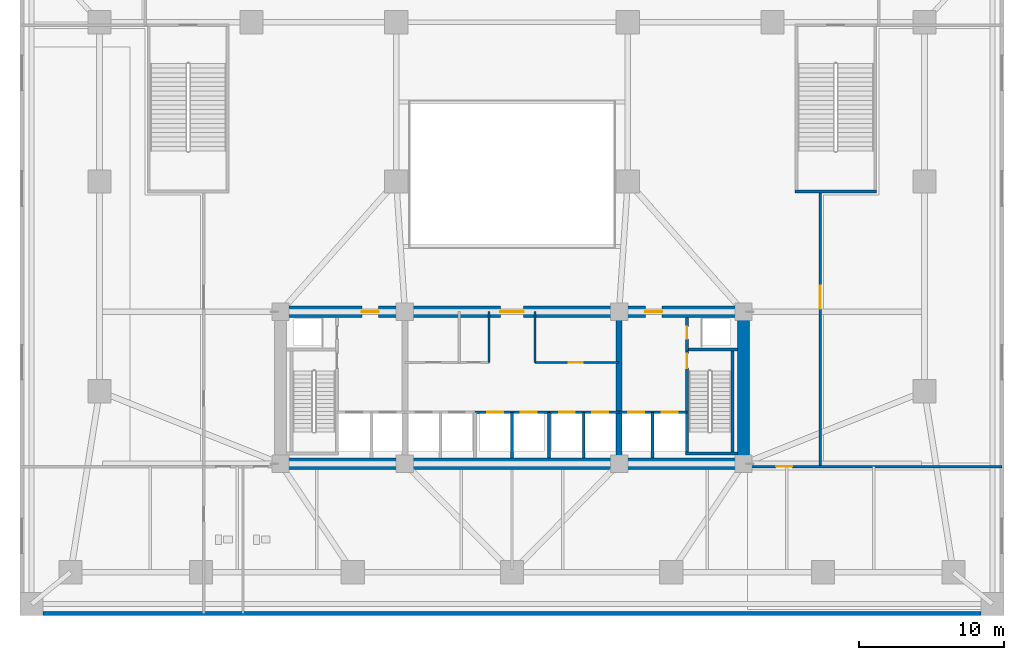
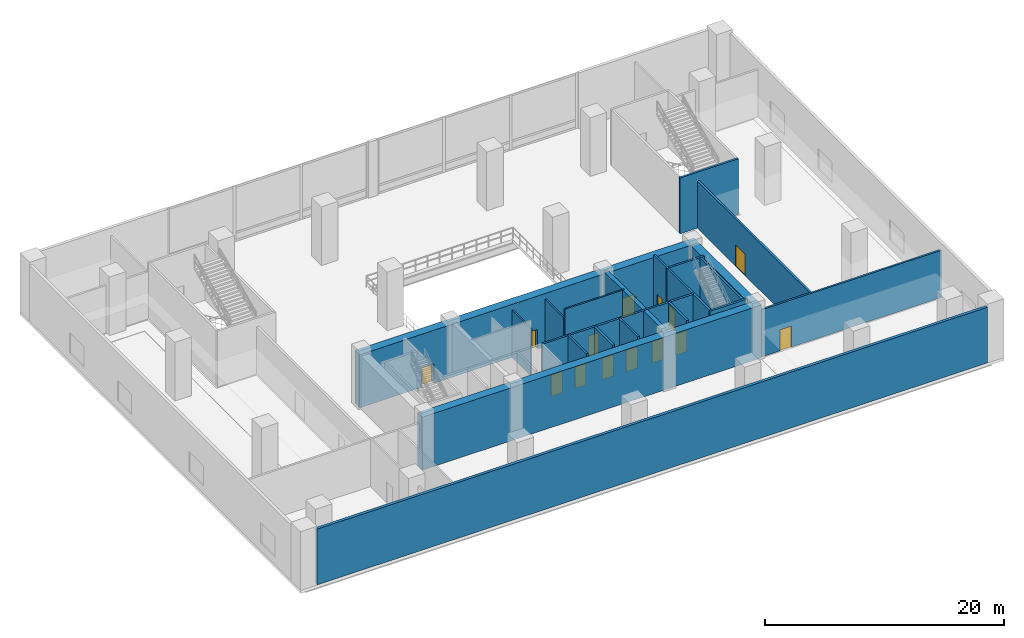
# One storey, part 8 of 16: 23 walls, 14 doors, 14 openings.
"""IFC4 building model written with IfcOpenShell, lengths in metres."""

from ifc_helpers import new_model, si_unit, direction, frame, frame_2d, origin, place, context, subcontext, project, spatial, rectangle, extrude, material, layer, layer_set, type_object, element, fill, save


model = new_model("IFC4")

# Units and contexts
model_context = context("Model", 3, precision=1e-05, world=origin(), true_north=direction((0.0, 1.0)))
body_context = subcontext(model_context, "Body", "Model", "MODEL_VIEW")
ifc_project = project(units=[si_unit("LENGTHUNIT", "METRE"), si_unit("AREAUNIT", "SQUARE_METRE"), si_unit("VOLUMEUNIT", "CUBIC_METRE"), si_unit("PLANEANGLEUNIT", "RADIAN"), si_unit("MASSUNIT", "GRAM", prefix="KILO")], contexts=[model_context])

# Site, building, storey
site_placement = place(None, origin())
site = spatial("IfcSite", under=ifc_project, at=site_placement, CompositionType="ELEMENT")
building_placement = place(site_placement, origin())
building = spatial("IfcBuilding", under=site, at=building_placement, Name="Solmavex Isthmus Hotel", CompositionType="ELEMENT")
storey_placement = place(building_placement, frame((0.0, 0.0, 5.39990234375)))
storey = spatial("IfcBuildingStorey", under=building, at=storey_placement, Name="L02", CompositionType="ELEMENT", Elevation=5.39990234375)

# Walls
ifc_material_1 = material(Name="Precast Concrete C40/50", Category="concrete")
ifc_layer_1 = layer(ifc_material_1, 0.280029296875)
ifc_layer_set_1 = layer_set([ifc_layer_1], Name="Precast Concrete C40/50")
wall_type_1 = type_object("IfcWallType", Name="EW-POD-280", PredefinedType="STANDARD", material=ifc_layer_set_1)
wall_1_placement = place(storey_placement, frame((-32.39990234375, -23.360107421875, 0.0), z_axis=(0.0, 0.0, 1.0), x_axis=(1.0, 0.0, 0.0)))
element("IfcWall", 1, at=wall_1_placement, inside=storey, type_object=wall_type_1, Name="Podium Facade Wall South L02", PredefinedType="STANDARD", context=body_context, shape_type="SweptSolid", body=[
    extrude(rectangle(XDim=64.7998046875, YDim=0.280029296875, at=frame_2d((32.39990234375, 0.0))), origin(), (0.0, 0.0, 1.0), 5.7001953125),
])
ifc_material_2 = material(Name="Gypsum plasterboard lining", Category="gypsum")
ifc_layer_2 = layer(ifc_material_2, 0.14990234375)
ifc_layer_set_2 = layer_set([ifc_layer_2], Name="Gypsum plasterboard lining")
wall_type_2 = type_object("IfcWallType", Name="IW-CORR-150", PredefinedType="PARTITIONING", material=ifc_layer_set_2)
wall_2_placement = place(storey_placement, frame((-1.60009765625, -6.0, 0.0), z_axis=(0.0, 0.0, 1.0), x_axis=(0.0, 1.0, 0.0)))
element("IfcWall", 2, at=wall_2_placement, inside=storey, type_object=wall_type_2, Name="Interior Partition Wall W-L02-BOH-WE", PredefinedType="PARTITIONING", context=body_context, shape_type="SweptSolid", body=[
    extrude(rectangle(XDim=3.5, YDim=0.14990234375, at=frame_2d((1.75, 0.0))), origin(), (0.0, 0.0, 1.0), 4.82958984375),
])

# Wall, opening, door
wall_3_placement = place(storey_placement, frame((1.60009765625, -6.0, 0.0), z_axis=(0.0, 0.0, 1.0), x_axis=(1.0, 0.0, 0.0)))
wall_3 = element("IfcWall", 3, at=wall_3_placement, inside=storey, type_object=wall_type_2, Name="Interior Partition Wall W-L02-BOH-ES", PredefinedType="PARTITIONING", context=body_context, shape_type="SweptSolid", body=[
    extrude(rectangle(XDim=5.7998046875, YDim=0.14990234375, at=frame_2d((2.89990234375, 0.0))), origin(), (0.0, 0.0, 1.0), 5.7001953125),
])
opening_1_placement = place(wall_3_placement, frame((2.324951171875, 0.0, 0.0)))
opening_1 = element("IfcOpeningElement", 4, at=opening_1_placement, cuts=wall_3, Name="Opening ID-C095", PredefinedType="OPENING", context=body_context, shape_type="SweptSolid", body=[
    extrude(rectangle(XDim=0.949951171875, YDim=2.14990234375, at=frame_2d((0.47509765625, 1.074951171875))), frame((0.0, 0.0849609375, 0.0), z_axis=(0.0, -1.0, 0.0), x_axis=(1.0, 0.0, 0.0)), (0.0, 0.0, 1.0), 0.169921875),
])
ifc_material_3 = material(Name="Hardwood timber", Category="wood")
door_type_1 = type_object("IfcDoorType", Name="IDR-FD60-0950", OperationType="NOTDEFINED", PredefinedType="DOOR", material=ifc_material_3)
door_1_placement = place(opening_1_placement, frame((0.949951171875, 0.0, 0.0), z_axis=(0.0, 0.0, 1.0), x_axis=(-1.0, 0.0, 0.0)))
door_1 = element("IfcDoor", 5, at=door_1_placement, inside=storey, type_object=door_type_1, Name="Butler Pantry Door L02", OperationType="SINGLE_SWING_RIGHT", OverallHeight=2.14990234375, OverallWidth=0.949951171875, PredefinedType="DOOR", context=body_context, shape_type="SweptSolid", body=[
    extrude(rectangle(XDim=0.949951171875, YDim=2.14990234375, at=frame_2d((0.47509765625, 1.074951171875))), frame((0.0, 0.02490234375, 0.0), z_axis=(0.0, -1.0, 0.0), x_axis=(1.0, 0.0, 0.0)), (0.0, 0.0, 1.0), 0.050048828125),
])
fill(opening_1, door_1)

# Walls
wall_4_placement = place(storey_placement, frame((1.60009765625, -6.0, 0.0), z_axis=(0.0, 0.0, 1.0), x_axis=(0.0, 1.0, 0.0)))
element("IfcWall", 6, at=wall_4_placement, inside=storey, type_object=wall_type_2, Name="Interior Partition Wall W-L02-BOH-EW", PredefinedType="PARTITIONING", context=body_context, shape_type="SweptSolid", body=[
    extrude(rectangle(XDim=3.5, YDim=0.14990234375, at=frame_2d((1.75, 0.0))), origin(), (0.0, 0.0, 1.0), 4.82958984375),
])
ifc_material_4 = material(Name="Concrete C40/50", Category="concrete")
ifc_layer_3 = layer(ifc_material_4, 0.179931640625)
ifc_layer_set_3 = layer_set([ifc_layer_3], Name="Concrete C40/50")
wall_type_3 = type_object("IfcWallType", Name="IW-SHAFT-180", PredefinedType="PARTITIONING", material=ifc_layer_set_3)
for number, where, z_axis, x_axis, name in (
    (7, (0.0, -12.60009765625, 0.0), (0.0, 0.0, 1.0), (0.0, 1.0, 0.0), "Interior Partition Wall W-L02-SH-PLM-M"),
    (8, (4.949951171875, -12.60009765625, 0.0), (0.0, 0.0, 1.0), (0.0, 1.0, 0.0), "Interior Partition Wall W-L02-SH-PLH-M"),
):
    element("IfcWall", number, at=place(storey_placement, frame(where, z_axis=z_axis, x_axis=x_axis)), inside=storey, type_object=wall_type_3, Name=name, PredefinedType="PARTITIONING", context=body_context, shape_type="SweptSolid", body=[
        extrude(rectangle(XDim=3.150146484375, YDim=0.179931640625, at=frame_2d((1.5751953125, 0.0))), origin(), (0.0, 0.0, 1.0), 5.7001953125),
    ])

# Wall, opening, door
wall_5_placement = place(storey_placement, frame((16.0, -13.199951171875, 0.0), z_axis=(0.0, 0.0, 1.0), x_axis=(1.0, 0.0, 0.0)))
wall_5 = element("IfcWall", 9, at=wall_5_placement, inside=storey, type_object=wall_type_3, Name="Interior Partition Wall W-L02-SOUTH-E", PredefinedType="PARTITIONING", context=body_context, shape_type="SweptSolid", body=[
    extrude(rectangle(XDim=17.860107421875, YDim=0.179931640625, at=frame_2d((8.93017578125, 0.0))), origin(), (0.0, 0.0, 1.0), 4.82958984375),
])
opening_2_placement = place(wall_5_placement, frame((2.25, 0.0, 0.0)))
opening_2 = element("IfcOpeningElement", 10, at=opening_2_placement, cuts=wall_5, Name="Opening ID-C110", PredefinedType="OPENING", context=body_context, shape_type="SweptSolid", body=[
    extrude(rectangle(XDim=1.10009765625, YDim=2.14990234375, at=frame_2d((0.550048828125, 1.074951171875))), frame((0.0, 0.099853515625, 0.0), z_axis=(0.0, -1.0, 0.0), x_axis=(1.0, 0.0, 0.0)), (0.0, 0.0, 1.0), 0.199951171875),
])
door_type_2 = type_object("IfcDoorType", Name="IDR-FD60-1100", OperationType="NOTDEFINED", PredefinedType="DOOR", material=ifc_material_3)
door_2_placement = place(opening_2_placement, frame((1.10009765625, 0.0, 0.0), z_axis=(0.0, 0.0, 1.0), x_axis=(-1.0, 0.0, 0.0)))
door_2 = element("IfcDoor", 11, at=door_2_placement, inside=storey, type_object=door_type_2, Name="AV Control Door L02", OperationType="SINGLE_SWING_LEFT", OverallHeight=2.14990234375, OverallWidth=1.10009765625, PredefinedType="DOOR", context=body_context, shape_type="SweptSolid", body=[
    extrude(rectangle(XDim=1.10009765625, YDim=2.14990234375, at=frame_2d((0.550048828125, 1.074951171875))), frame((0.0, 0.02490234375, 0.0), z_axis=(0.0, -1.0, 0.0), x_axis=(1.0, 0.0, 0.0)), (0.0, 0.0, 1.0), 0.050048828125),
])
fill(opening_2, door_2)

ifc_layer_4 = layer(ifc_material_4, 0.199951171875)
ifc_layer_set_4 = layer_set([ifc_layer_4], Name="Concrete C40/50")
wall_type_4 = type_object("IfcWallType", Name="IW-SHAFT-200", PredefinedType="PARTITIONING", material=ifc_layer_set_4)
wall_6_placement = place(storey_placement, frame((12.10009765625, -5.199951171875, 0.0), z_axis=(0.0, 0.0, 1.0), x_axis=(0.0, 1.0, 0.0)))
wall_6 = element("IfcWall", 12, at=wall_6_placement, inside=storey, type_object=wall_type_4, Name="Interior Partition Wall W-L02-RSE-W", PredefinedType="PARTITIONING", context=body_context, shape_type="SweptSolid", body=[
    extrude(rectangle(XDim=2.300048828125, YDim=0.199951171875, at=frame_2d((1.14990234375, 0.0))), origin(), (0.0, 0.0, 1.0), 5.7001953125),
])
opening_3_placement = place(wall_6_placement, frame((0.824951171875, 0.0, 0.0)))
opening_3 = element("IfcOpeningElement", 13, at=opening_3_placement, cuts=wall_6, Name="Opening ID-R085", PredefinedType="OPENING", context=body_context, shape_type="SweptSolid", body=[
    extrude(rectangle(XDim=0.85009765625, YDim=2.050048828125, at=frame_2d((0.425048828125, 1.02490234375))), frame((0.0, 0.10986328125, 0.0), z_axis=(0.0, -1.0, 0.0), x_axis=(1.0, 0.0, 0.0)), (0.0, 0.0, 1.0), 0.219970703125),
])
ifc_material_5 = material(Name="Steel ASTM A500 Grade C", Category="steel")
door_type_3 = type_object("IfcDoorType", Name="IDR-FD60-0850", OperationType="NOTDEFINED", PredefinedType="DOOR", material=ifc_material_5)
door_3_placement = place(opening_3_placement, frame((0.85009765625, 0.0, 0.0), z_axis=(0.0, 0.0, 1.0), x_axis=(-1.0, 0.0, 0.0)))
door_3 = element("IfcDoor", 14, at=door_3_placement, inside=storey, type_object=door_type_3, Name="Mechanical Riser Door L02", OperationType="SINGLE_SWING_LEFT", OverallHeight=2.050048828125, OverallWidth=0.85009765625, PredefinedType="DOOR", context=body_context, shape_type="SweptSolid", body=[
    extrude(rectangle(XDim=0.85009765625, YDim=2.050048828125, at=frame_2d((0.425048828125, 1.02490234375))), frame((0.0, 0.02490234375, 0.0), z_axis=(0.0, -1.0, 0.0), x_axis=(1.0, 0.0, 0.0)), (0.0, 0.0, 1.0), 0.050048828125),
])
fill(opening_3, door_3)

# Wall, openings, doors
wall_7_placement = place(storey_placement, frame((7.39990234375, -9.449951171875, 0.0), z_axis=(0.0, 0.0, 1.0), x_axis=(1.0, 0.0, 0.0)))
wall_7 = element("IfcWall", 15, at=wall_7_placement, inside=storey, type_object=wall_type_4, Name="Interior Partition Wall W-L02-FFLE-S", PredefinedType="PARTITIONING", context=body_context, shape_type="SweptSolid", body=[
    extrude(rectangle(XDim=4.7001953125, YDim=0.199951171875, at=frame_2d((2.35009765625, 0.0))), origin(), (0.0, 0.0, 1.0), 5.7001953125),
])
opening_4_placement = place(wall_7_placement, frame((2.949951171875, 0.0, 0.0)))
opening_4 = element("IfcOpeningElement", 16, at=opening_4_placement, cuts=wall_7, Name="Opening LD-FF", PredefinedType="OPENING", context=body_context, shape_type="SweptSolid", body=[
    extrude(rectangle(XDim=1.10009765625, YDim=2.199951171875, at=frame_2d((0.550048828125, 1.10009765625))), frame((0.0, 0.10986328125, 0.0), z_axis=(0.0, -1.0, 0.0), x_axis=(1.0, 0.0, 0.0)), (0.0, 0.0, 1.0), 0.219970703125),
])
opening_5_placement = place(wall_7_placement, frame((0.64990234375, 0.0, 0.0)))
opening_5 = element("IfcOpeningElement", 17, at=opening_5_placement, cuts=wall_7, Name="Opening LD-SV", PredefinedType="OPENING", context=body_context, shape_type="SweptSolid", body=[
    extrude(rectangle(XDim=1.10009765625, YDim=2.199951171875, at=frame_2d((0.550048828125, 1.10009765625))), frame((0.0, 0.10986328125, 0.0), z_axis=(0.0, -1.0, 0.0), x_axis=(1.0, 0.0, 0.0)), (0.0, 0.0, 1.0), 0.219970703125),
])
ifc_material_6 = material(Name="Stainless steel 316", Category="steel")
door_type_4 = type_object("IfcDoorType", Name="LDR-FF-1100", OperationType="NOTDEFINED", PredefinedType="DOOR", material=ifc_material_6)
door_4_placement = place(opening_4_placement, origin())
door_4 = element("IfcDoor", 18, at=door_4_placement, inside=storey, type_object=door_type_4, Name="Lift Landing Door FFL-2 L02", OperationType="SLIDING_TO_LEFT", OverallHeight=2.199951171875, OverallWidth=1.10009765625, PredefinedType="DOOR", context=body_context, shape_type="SweptSolid", body=[
    extrude(rectangle(XDim=1.10009765625, YDim=2.199951171875, at=frame_2d((0.550048828125, 1.10009765625))), frame((0.0, 0.02490234375, 0.0), z_axis=(0.0, -1.0, 0.0), x_axis=(1.0, 0.0, 0.0)), (0.0, 0.0, 1.0), 0.050048828125),
])
fill(opening_4, door_4)
door_type_5 = type_object("IfcDoorType", Name="LDR-SV-1100", OperationType="NOTDEFINED", PredefinedType="DOOR", material=ifc_material_6)
door_5_placement = place(opening_5_placement, origin())
door_5 = element("IfcDoor", 19, at=door_5_placement, inside=storey, type_object=door_type_5, Name="Lift Landing Door SVL-2 L02", OperationType="SLIDING_TO_RIGHT", OverallHeight=2.199951171875, OverallWidth=1.10009765625, PredefinedType="DOOR", context=body_context, shape_type="SweptSolid", body=[
    extrude(rectangle(XDim=1.10009765625, YDim=2.199951171875, at=frame_2d((0.550048828125, 1.10009765625))), frame((0.0, 0.02490234375, 0.0), z_axis=(0.0, -1.0, 0.0), x_axis=(1.0, 0.0, 0.0)), (0.0, 0.0, 1.0), 0.050048828125),
])
fill(opening_5, door_5)

# Wall
wall_8_placement = place(storey_placement, frame((9.699951171875, -12.60009765625, 0.0), z_axis=(0.0, 0.0, 1.0), x_axis=(0.0, 1.0, 0.0)))
element("IfcWall", 20, at=wall_8_placement, inside=storey, type_object=wall_type_4, Name="Interior Partition Wall W-L02-FFLE-M", PredefinedType="PARTITIONING", context=body_context, shape_type="SweptSolid", body=[
    extrude(rectangle(XDim=3.150146484375, YDim=0.199951171875, at=frame_2d((1.5751953125, 0.0))), origin(), (0.0, 0.0, 1.0), 5.7001953125),
])

# Wall, openings, doors
wall_9_placement = place(storey_placement, frame((-2.550048828125, -9.449951171875, 0.0), z_axis=(0.0, 0.0, 1.0), x_axis=(1.0, 0.0, 0.0)))
wall_9 = element("IfcWall", 21, at=wall_9_placement, inside=storey, type_object=wall_type_4, Name="Interior Partition Wall W-L02-SH-PLM", PredefinedType="PARTITIONING", context=body_context, shape_type="SweptSolid", body=[
    extrude(rectangle(XDim=5.10009765625, YDim=0.199951171875, at=frame_2d((2.550048828125, 0.0))), origin(), (0.0, 0.0, 1.0), 5.7001953125),
])
opening_6_placement = place(wall_9_placement, frame((0.85009765625, 0.0, 0.0)))
opening_6 = element("IfcOpeningElement", 22, at=opening_6_placement, cuts=wall_9, Name="Opening LD-PL", PredefinedType="OPENING", context=body_context, shape_type="SweptSolid", body=[
    extrude(rectangle(XDim=1.10009765625, YDim=2.199951171875, at=frame_2d((0.550048828125, 1.10009765625))), frame((0.0, 0.10986328125, 0.0), z_axis=(0.0, -1.0, 0.0), x_axis=(1.0, 0.0, 0.0)), (0.0, 0.0, 1.0), 0.219970703125),
])
opening_7_placement = place(wall_9_placement, frame((3.14990234375, 0.0, 0.0)))
opening_7 = element("IfcOpeningElement", 23, at=opening_7_placement, cuts=wall_9, Name="Opening LD-PL", PredefinedType="OPENING", context=body_context, shape_type="SweptSolid", body=[
    extrude(rectangle(XDim=1.10009765625, YDim=2.199951171875, at=frame_2d((0.550048828125, 1.10009765625))), frame((0.0, 0.10986328125, 0.0), z_axis=(0.0, -1.0, 0.0), x_axis=(1.0, 0.0, 0.0)), (0.0, 0.0, 1.0), 0.219970703125),
])
door_type_6 = type_object("IfcDoorType", Name="LDR-PL-1100", OperationType="NOTDEFINED", PredefinedType="DOOR", material=ifc_material_6)
door_6_placement = place(opening_6_placement, origin())
door_6 = element("IfcDoor", 24, at=door_6_placement, inside=storey, type_object=door_type_6, Name="Lift Landing Door PLM1 L02", OperationType="SLIDING_TO_RIGHT", OverallHeight=2.199951171875, OverallWidth=1.10009765625, PredefinedType="DOOR", context=body_context, shape_type="SweptSolid", body=[
    extrude(rectangle(XDim=1.10009765625, YDim=2.199951171875, at=frame_2d((0.550048828125, 1.10009765625))), frame((0.0, 0.02490234375, 0.0), z_axis=(0.0, -1.0, 0.0), x_axis=(1.0, 0.0, 0.0)), (0.0, 0.0, 1.0), 0.050048828125),
])
fill(opening_6, door_6)
door_7_placement = place(opening_7_placement, origin())
door_7 = element("IfcDoor", 25, at=door_7_placement, inside=storey, type_object=door_type_6, Name="Lift Landing Door PLM2 L02", OperationType="SLIDING_TO_RIGHT", OverallHeight=2.199951171875, OverallWidth=1.10009765625, PredefinedType="DOOR", context=body_context, shape_type="SweptSolid", body=[
    extrude(rectangle(XDim=1.10009765625, YDim=2.199951171875, at=frame_2d((0.550048828125, 1.10009765625))), frame((0.0, 0.02490234375, 0.0), z_axis=(0.0, -1.0, 0.0), x_axis=(1.0, 0.0, 0.0)), (0.0, 0.0, 1.0), 0.050048828125),
])
fill(opening_7, door_7)

# Wall
wall_10_placement = place(storey_placement, frame((2.550048828125, -12.60009765625, 0.0), z_axis=(0.0, 0.0, 1.0), x_axis=(0.0, 1.0, 0.0)))
element("IfcWall", 26, at=wall_10_placement, inside=storey, type_object=wall_type_4, Name="Interior Partition Wall W-L02-SH-PLM-E", PredefinedType="PARTITIONING", context=body_context, shape_type="SweptSolid", body=[
    extrude(rectangle(XDim=3.150146484375, YDim=0.199951171875, at=frame_2d((1.5751953125, 0.0))), origin(), (0.0, 0.0, 1.0), 5.7001953125),
])

# Wall, openings, doors
wall_11_placement = place(storey_placement, frame((2.550048828125, -9.449951171875, 0.0), z_axis=(0.0, 0.0, 1.0), x_axis=(1.0, 0.0, 0.0)))
wall_11 = element("IfcWall", 27, at=wall_11_placement, inside=storey, type_object=wall_type_4, Name="Interior Partition Wall W-L02-SH-PLH", PredefinedType="PARTITIONING", context=body_context, shape_type="SweptSolid", body=[
    extrude(rectangle(XDim=4.849853515625, YDim=0.199951171875, at=frame_2d((2.4248046875, 0.0))), origin(), (0.0, 0.0, 1.0), 5.7001953125),
])
opening_8_placement = place(wall_11_placement, frame((0.699951171875, 0.0, 0.0)))
opening_8 = element("IfcOpeningElement", 28, at=opening_8_placement, cuts=wall_11, Name="Opening LD-PL", PredefinedType="OPENING", context=body_context, shape_type="SweptSolid", body=[
    extrude(rectangle(XDim=1.10009765625, YDim=2.199951171875, at=frame_2d((0.550048828125, 1.10009765625))), frame((0.0, 0.10986328125, 0.0), z_axis=(0.0, -1.0, 0.0), x_axis=(1.0, 0.0, 0.0)), (0.0, 0.0, 1.0), 0.219970703125),
])
opening_9_placement = place(wall_11_placement, frame((3.0, 0.0, 0.0)))
opening_9 = element("IfcOpeningElement", 29, at=opening_9_placement, cuts=wall_11, Name="Opening LD-PL", PredefinedType="OPENING", context=body_context, shape_type="SweptSolid", body=[
    extrude(rectangle(XDim=1.10009765625, YDim=2.199951171875, at=frame_2d((0.550048828125, 1.10009765625))), frame((0.0, 0.10986328125, 0.0), z_axis=(0.0, -1.0, 0.0), x_axis=(1.0, 0.0, 0.0)), (0.0, 0.0, 1.0), 0.219970703125),
])
door_8_placement = place(opening_8_placement, origin())
door_8 = element("IfcDoor", 30, at=door_8_placement, inside=storey, type_object=door_type_6, Name="Lift Landing Door PLH1 L02", OperationType="SLIDING_TO_LEFT", OverallHeight=2.199951171875, OverallWidth=1.10009765625, PredefinedType="DOOR", context=body_context, shape_type="SweptSolid", body=[
    extrude(rectangle(XDim=1.10009765625, YDim=2.199951171875, at=frame_2d((0.550048828125, 1.10009765625))), frame((0.0, 0.02490234375, 0.0), z_axis=(0.0, -1.0, 0.0), x_axis=(1.0, 0.0, 0.0)), (0.0, 0.0, 1.0), 0.050048828125),
])
fill(opening_8, door_8)
door_9_placement = place(opening_9_placement, origin())
door_9 = element("IfcDoor", 31, at=door_9_placement, inside=storey, type_object=door_type_6, Name="Lift Landing Door PLH2 L02", OperationType="SLIDING_TO_LEFT", OverallHeight=2.199951171875, OverallWidth=1.10009765625, PredefinedType="DOOR", context=body_context, shape_type="SweptSolid", body=[
    extrude(rectangle(XDim=1.10009765625, YDim=2.199951171875, at=frame_2d((0.550048828125, 1.10009765625))), frame((0.0, 0.02490234375, 0.0), z_axis=(0.0, -1.0, 0.0), x_axis=(1.0, 0.0, 0.0)), (0.0, 0.0, 1.0), 0.050048828125),
])
fill(opening_9, door_9)

# Wall, opening, door
wall_12_placement = place(storey_placement, frame((21.300048828125, -13.199951171875, 0.0), z_axis=(0.0, 0.0, 1.0), x_axis=(0.0, 1.0, 0.0)))
wall_12 = element("IfcWall", 32, at=wall_12_placement, inside=storey, type_object=wall_type_4, Name="Interior Partition Wall W-L02-EAST-H", PredefinedType="PARTITIONING", context=body_context, shape_type="SweptSolid", body=[
    extrude(rectangle(XDim=18.889892578125, YDim=0.199951171875, at=frame_2d((9.44482421875, 0.0))), origin(), (0.0, 0.0, 1.0), 4.82958984375),
])
opening_10_placement = place(wall_12_placement, frame((10.89990234375, 0.0, 0.0)))
opening_10 = element("IfcOpeningElement", 33, at=opening_10_placement, cuts=wall_12, Name="Opening ID-C160", PredefinedType="OPENING", context=body_context, shape_type="SweptSolid", body=[
    extrude(rectangle(XDim=1.60009765625, YDim=2.199951171875, at=frame_2d((0.800048828125, 1.10009765625))), frame((0.0, 0.10986328125, 0.0), z_axis=(0.0, -1.0, 0.0), x_axis=(1.0, 0.0, 0.0)), (0.0, 0.0, 1.0), 0.219970703125),
])
door_type_7 = type_object("IfcDoorType", Name="IDR-FD60-1600", OperationType="NOTDEFINED", PredefinedType="DOOR", material=ifc_material_3)
door_10_placement = place(opening_10_placement, origin())
door_10 = element("IfcDoor", 34, at=door_10_placement, inside=storey, type_object=door_type_7, Name="East Hall Main Door L02", OperationType="DOUBLE_DOOR_SINGLE_SWING", OverallHeight=2.199951171875, OverallWidth=1.60009765625, PredefinedType="DOOR", context=body_context, shape_type="SweptSolid", body=[
    extrude(rectangle(XDim=1.60009765625, YDim=2.199951171875, at=frame_2d((0.800048828125, 1.10009765625))), frame((0.0, 0.02490234375, 0.0), z_axis=(0.0, -1.0, 0.0), x_axis=(1.0, 0.0, 0.0)), (0.0, 0.0, 1.0), 0.050048828125),
])
fill(opening_10, door_10)

# Walls
ifc_material_7 = material(Name="Concrete C70/85", Category="concrete")
ifc_layer_5 = layer(ifc_material_7, 0.39990234375)
ifc_layer_set_5 = layer_set([ifc_layer_5], Name="Concrete C70/85")
wall_type_5 = type_object("IfcWallType", Name="WALL-CW-400L", PredefinedType="SHEAR", material=ifc_layer_set_5)
wall_13_placement = place(storey_placement, frame((7.39990234375, -12.60009765625, 0.0), z_axis=(0.0, 0.0, 1.0), x_axis=(0.0, 1.0, 0.0)))
element("IfcWall", 35, at=wall_13_placement, inside=storey, type_object=wall_type_5, Name="Core Cross Shear Wall C2 L02", PredefinedType="SHEAR", context=body_context, shape_type="SweptSolid", body=[
    extrude(rectangle(XDim=9.7001953125, YDim=0.39990234375, at=frame_2d((4.85009765625, 0.0))), origin(), (0.0, 0.0, 1.0), 5.7001953125),
])
ifc_layer_6 = layer(ifc_material_7, 0.800048828125)
ifc_layer_set_6 = layer_set([ifc_layer_6], Name="Concrete C70/85")
wall_type_6 = type_object("IfcWallType", Name="WALL-CW-800", PredefinedType="SHEAR", material=ifc_layer_set_6)
wall_14_placement = place(storey_placement, frame((-16.39990234375, -13.0, 0.0), z_axis=(0.0, 0.0, 1.0), x_axis=(1.0, 0.0, 0.0)))
element("IfcWall", 36, at=wall_14_placement, inside=storey, type_object=wall_type_6, Name="Core Shear Wall South L02", PredefinedType="SHEAR", context=body_context, shape_type="SweptSolid", body=[
    extrude(rectangle(XDim=32.7998046875, YDim=0.800048828125, at=frame_2d((16.39990234375, 0.0))), origin(), (0.0, 0.0, 1.0), 5.420166015625),
])

# Wall, openings, doors
wall_15_placement = place(storey_placement, frame((-16.39990234375, -2.5, 0.0), z_axis=(0.0, 0.0, 1.0), x_axis=(1.0, 0.0, 0.0)))
wall_15 = element("IfcWall", 37, at=wall_15_placement, inside=storey, type_object=wall_type_6, Name="Core Shear Wall North L02", PredefinedType="SHEAR", context=body_context, shape_type="SweptSolid", body=[
    extrude(rectangle(XDim=32.7998046875, YDim=0.800048828125, at=frame_2d((16.39990234375, 0.0))), origin(), (0.0, 0.0, 1.0), 5.420166015625),
])
opening_11_placement = place(wall_15_placement, frame((6.02490234375, 0.0, 0.0)))
opening_11 = element("IfcOpeningElement", 38, at=opening_11_placement, cuts=wall_15, Name="Opening ID-F915", PredefinedType="OPENING", context=body_context, shape_type="SweptSolid", body=[
    extrude(rectangle(XDim=1.14990234375, YDim=2.0, at=frame_2d((0.574951171875, 1.0))), frame((0.0, 0.409912109375, 0.0), z_axis=(0.0, -1.0, 0.0), x_axis=(1.0, 0.0, 0.0)), (0.0, 0.0, 1.0), 0.820068359375),
])
opening_12_placement = place(wall_15_placement, frame((15.60009765625, 0.0, 0.0)))
opening_12 = element("IfcOpeningElement", 39, at=opening_12_placement, cuts=wall_15, Name="Opening ID-F960", PredefinedType="OPENING", context=body_context, shape_type="SweptSolid", body=[
    extrude(rectangle(XDim=1.60009765625, YDim=2.0, at=frame_2d((0.800048828125, 1.0))), frame((0.0, 0.409912109375, 0.0), z_axis=(0.0, -1.0, 0.0), x_axis=(1.0, 0.0, 0.0)), (0.0, 0.0, 1.0), 0.820068359375),
])
opening_13_placement = place(wall_15_placement, frame((25.625, 0.0, 0.0)))
opening_13 = element("IfcOpeningElement", 40, at=opening_13_placement, cuts=wall_15, Name="Opening ID-F915", PredefinedType="OPENING", context=body_context, shape_type="SweptSolid", body=[
    extrude(rectangle(XDim=1.14990234375, YDim=2.0, at=frame_2d((0.574951171875, 1.0))), frame((0.0, 0.409912109375, 0.0), z_axis=(0.0, -1.0, 0.0), x_axis=(1.0, 0.0, 0.0)), (0.0, 0.0, 1.0), 0.820068359375),
])
door_type_8 = type_object("IfcDoorType", Name="IDR-FD90-1150C", OperationType="NOTDEFINED", PredefinedType="DOOR", material=ifc_material_5)
door_11_placement = place(opening_11_placement, origin())
door_11 = element("IfcDoor", 41, at=door_11_placement, inside=storey, type_object=door_type_8, Name="Firefighting Lobby West Exit Door L02", OperationType="SINGLE_SWING_LEFT", OverallHeight=2.0, OverallWidth=1.14990234375, PredefinedType="DOOR", context=body_context, shape_type="SweptSolid", body=[
    extrude(rectangle(XDim=1.14990234375, YDim=2.0, at=frame_2d((0.574951171875, 1.0))), frame((0.0, 0.02490234375, 0.0), z_axis=(0.0, -1.0, 0.0), x_axis=(1.0, 0.0, 0.0)), (0.0, 0.0, 1.0), 0.050048828125),
])
fill(opening_11, door_11)
door_12_placement = place(opening_13_placement, origin())
door_12 = element("IfcDoor", 42, at=door_12_placement, inside=storey, type_object=door_type_8, Name="Firefighting Lobby East Exit Door L02", OperationType="SINGLE_SWING_RIGHT", OverallHeight=2.0, OverallWidth=1.14990234375, PredefinedType="DOOR", context=body_context, shape_type="SweptSolid", body=[
    extrude(rectangle(XDim=1.14990234375, YDim=2.0, at=frame_2d((0.574951171875, 1.0))), frame((0.0, 0.02490234375, 0.0), z_axis=(0.0, -1.0, 0.0), x_axis=(1.0, 0.0, 0.0)), (0.0, 0.0, 1.0), 0.050048828125),
])
fill(opening_13, door_12)
door_type_9 = type_object("IfcDoorType", Name="IDR-FD90-1600C", OperationType="NOTDEFINED", PredefinedType="DOOR", material=ifc_material_5)
door_13_placement = place(opening_12_placement, origin())
door_13 = element("IfcDoor", 43, at=door_13_placement, inside=storey, type_object=door_type_9, Name="Central Lift Lobby Door L02", OperationType="DOUBLE_DOOR_SINGLE_SWING", OverallHeight=2.0, OverallWidth=1.60009765625, PredefinedType="DOOR", context=body_context, shape_type="SweptSolid", body=[
    extrude(rectangle(XDim=1.60009765625, YDim=2.0, at=frame_2d((0.800048828125, 1.0))), frame((0.0, 0.02490234375, 0.0), z_axis=(0.0, -1.0, 0.0), x_axis=(1.0, 0.0, 0.0)), (0.0, 0.0, 1.0), 0.050048828125),
])
fill(opening_12, door_13)

# Walls
wall_16_placement = place(storey_placement, frame((16.0, -12.60009765625, 0.0), z_axis=(0.0, 0.0, 1.0), x_axis=(0.0, 1.0, 0.0)))
element("IfcWall", 44, at=wall_16_placement, inside=storey, type_object=wall_type_6, Name="Core Shear Wall East L02", PredefinedType="SHEAR", context=body_context, shape_type="SweptSolid", body=[
    extrude(rectangle(XDim=9.7001953125, YDim=0.800048828125, at=frame_2d((4.85009765625, 0.0))), origin(), (0.0, 0.0, 1.0), 5.420166015625),
])
ifc_layer_7 = layer(ifc_material_4, 0.199951171875)
ifc_layer_set_7 = layer_set([ifc_layer_7], Name="Concrete C40/50")
wall_type_7 = type_object("IfcWallType", Name="WALL-SW-200", PredefinedType="SOLIDWALL", material=ifc_layer_set_7)
for number, where, z_axis, x_axis, name in (
    (45, (12.0, -12.300048828125, 0.0), (0.0, 0.0, 1.0), (1.0, 0.0, 0.0), "Stairwell Structural Wall SW-L02-ST2-S"),
    (46, (12.0, -5.10009765625, 0.0), (0.0, 0.0, 1.0), (1.0, 0.0, 0.0), "Stairwell Structural Wall SW-L02-ST2-N"),
):
    element("IfcWall", number, at=place(storey_placement, frame(where, z_axis=z_axis, x_axis=x_axis)), inside=storey, type_object=wall_type_7, Name=name, PredefinedType="SOLIDWALL", context=body_context, shape_type="SweptSolid", body=[
        extrude(rectangle(XDim=3.60009765625, YDim=0.199951171875, at=frame_2d((1.800048828125, 0.0))), origin(), (0.0, 0.0, 1.0), 5.7001953125),
    ])

# Wall, opening, door
wall_17_placement = place(storey_placement, frame((12.10009765625, -12.199951171875, 0.0), z_axis=(0.0, 0.0, 1.0), x_axis=(0.0, 1.0, 0.0)))
wall_17 = element("IfcWall", 47, at=wall_17_placement, inside=storey, type_object=wall_type_7, Name="Stairwell Structural Wall SW-L02-ST2-W", PredefinedType="SOLIDWALL", context=body_context, shape_type="SweptSolid", body=[
    extrude(rectangle(XDim=7.0, YDim=0.199951171875, at=frame_2d((3.5, 0.0))), origin(), (0.0, 0.0, 1.0), 5.7001953125),
])
opening_14_placement = place(wall_17_placement, frame((5.800048828125, 0.0, 0.0)))
opening_14 = element("IfcOpeningElement", 48, at=opening_14_placement, cuts=wall_17, Name="Opening ID-F100", PredefinedType="OPENING", context=body_context, shape_type="SweptSolid", body=[
    extrude(rectangle(XDim=1.0, YDim=2.10009765625, at=frame_2d((0.5, 1.050048828125))), frame((0.0, 0.10986328125, 0.0), z_axis=(0.0, -1.0, 0.0), x_axis=(1.0, 0.0, 0.0)), (0.0, 0.0, 1.0), 0.219970703125),
])
door_type_10 = type_object("IfcDoorType", Name="IDR-FD90-1000", OperationType="NOTDEFINED", PredefinedType="DOOR", material=ifc_material_5)
door_14_placement = place(opening_14_placement, origin())
door_14 = element("IfcDoor", 49, at=door_14_placement, inside=storey, type_object=door_type_10, Name="Stair ST-2 Fire Door L02", OperationType="SINGLE_SWING_RIGHT", OverallHeight=2.10009765625, OverallWidth=1.0, PredefinedType="DOOR", context=body_context, shape_type="SweptSolid", body=[
    extrude(rectangle(XDim=1.0, YDim=2.10009765625, at=frame_2d((0.5, 1.050048828125))), frame((0.0, 0.02490234375, 0.0), z_axis=(0.0, -1.0, 0.0), x_axis=(1.0, 0.0, 0.0)), (0.0, 0.0, 1.0), 0.050048828125),
])
fill(opening_14, door_14)

# Walls
wall_18_placement = place(storey_placement, frame((15.25, -12.199951171875, 0.0), z_axis=(0.0, 0.0, 1.0), x_axis=(0.0, 1.0, 0.0)))
element("IfcWall", 50, at=wall_18_placement, inside=storey, type_object=wall_type_7, Name="Stairwell Structural Wall SW-L02-ST2-E", PredefinedType="SOLIDWALL", context=body_context, shape_type="SweptSolid", body=[
    extrude(rectangle(XDim=7.0, YDim=0.199951171875, at=frame_2d((3.5, 0.0))), origin(), (0.0, 0.0, 1.0), 5.7001953125),
])
wall_19_placement = place(storey_placement, frame((19.550048828125, 5.800048828125, 0.0), z_axis=(0.0, 0.0, 1.0), x_axis=(1.0, 0.0, 0.0)))
element("IfcWall", 51, at=wall_19_placement, inside=storey, type_object=wall_type_7, Name="Stairwell Structural Wall SW-L02-ST3-S", PredefinedType="SOLIDWALL", context=body_context, shape_type="SweptSolid", body=[
    extrude(rectangle(XDim=5.64990234375, YDim=0.199951171875, at=frame_2d((2.824951171875, 0.0))), origin(), (0.0, 0.0, 1.0), 5.7001953125),
])

save(model, "model.ifc")
